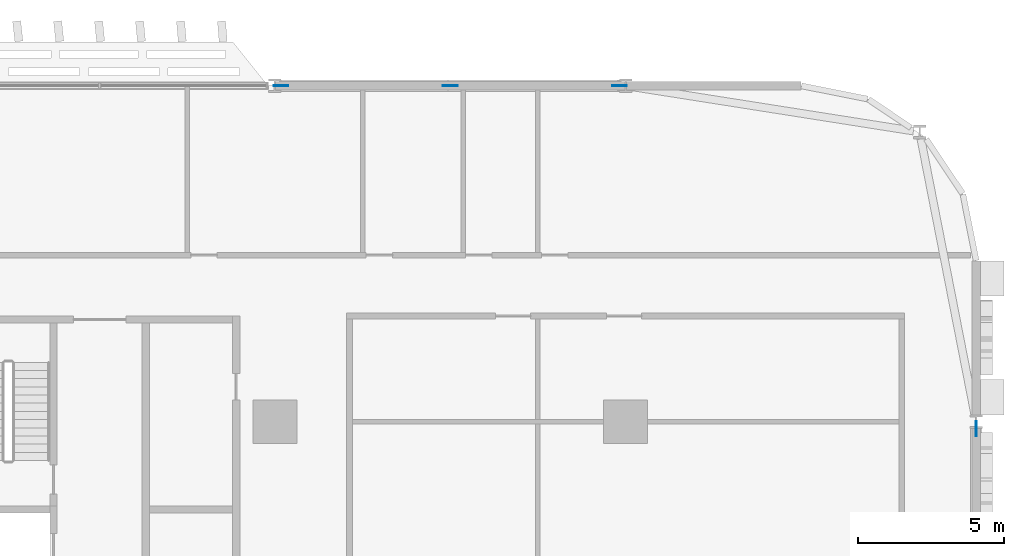
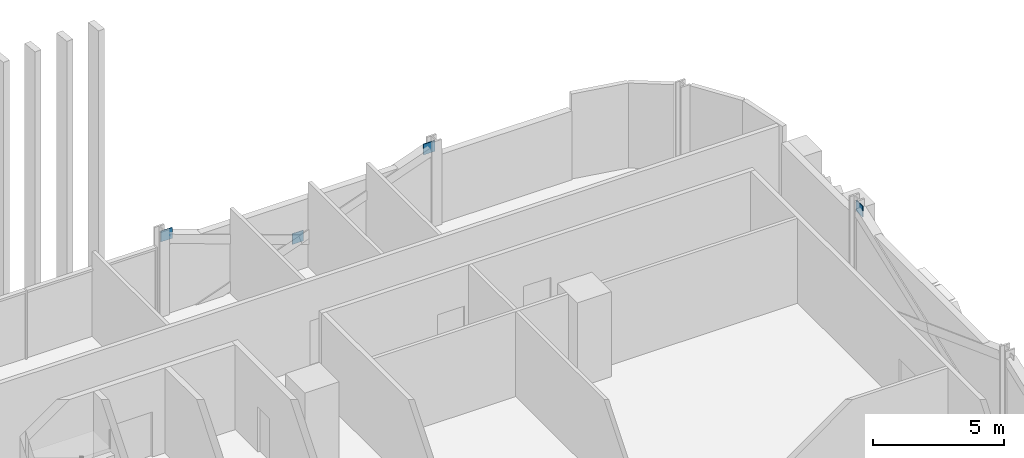
# One storey, part 23 of 29: 4 discrete accessories.
"""IFC4 building model written with IfcOpenShell, lengths in metres."""

from ifc_helpers import new_model, si_unit, direction, frame, origin, origin_2d, place, context, subcontext, project, spatial, rectangle, extrude, material, layer, layer_set, type_object, element, save


model = new_model("IFC4")

# Units and contexts
model_context = context("Model", 3, precision=1e-05, world=origin(), true_north=direction((0.0, 1.0)))
body_context = subcontext(model_context, "Body", "Model", "MODEL_VIEW")
ifc_project = project(units=[si_unit("LENGTHUNIT", "METRE"), si_unit("AREAUNIT", "SQUARE_METRE"), si_unit("VOLUMEUNIT", "CUBIC_METRE"), si_unit("PLANEANGLEUNIT", "RADIAN"), si_unit("MASSUNIT", "GRAM", prefix="KILO")], contexts=[model_context])

# Site, building, storey
site_placement = place(None, origin())
site = spatial("IfcSite", under=ifc_project, at=site_placement, CompositionType="ELEMENT")
building_placement = place(site_placement, origin())
building = spatial("IfcBuilding", under=site, at=building_placement, Name="Mahtab Terrace Research Tower", CompositionType="ELEMENT")
storey_placement = place(building_placement, frame((0.0, 0.0, 63.199951171875)))
storey = spatial("IfcBuildingStorey", under=building, at=storey_placement, Name="L14", CompositionType="ELEMENT", Elevation=63.199951171875)

# Discrete accessories
ifc_material = material(Name="Steel ASTM A992 Gr 50", Category="steel")
ifc_layer = layer(ifc_material, 0.030029296875)
ifc_layer_set = layer_set([ifc_layer], Name="Gusset plate 500x500x30")
discrete_accessory_type = type_object("IfcDiscreteAccessoryType", Name="Gusset plate 500x500x30", PredefinedType="USERDEFINED", material=ifc_layer_set)
for number, where, z_axis, x_axis, name in (
    (1, (30.212158203125, 23.0, 3.33154296875), (0.0, 0.0, 1.0), (1.0, 0.0, 0.0), "Gusset plate"),
    (2, (36.0, 23.0, 1.181640625), (0.0, 0.0, 1.0), (1.0, 0.0, 0.0), "Gusset plate"),
    (3, (41.787841796875, 23.0, 3.33154296875), (0.0, 0.0, 1.0), (1.0, 0.0, 0.0), "Gusset plate"),
    (4, (54.0, 11.262451171875, 3.33154296875), (0.0, 0.0, 1.0), (0.0, 1.0, 0.0), "Gusset plate"),
):
    element("IfcDiscreteAccessory", number, at=place(storey_placement, frame(where, z_axis=z_axis, x_axis=x_axis)), inside=storey, type_object=discrete_accessory_type, Name=name, ObjectType="GUSSET PLATE", PredefinedType="USERDEFINED", context=body_context, shape_type="SweptSolid", body=[
        extrude(rectangle(XDim=0.5, YDim=0.030029296875, at=origin_2d()), origin(), (0.0, 0.0, 1.0), 0.5),
    ])

save(model, "model.ifc")
